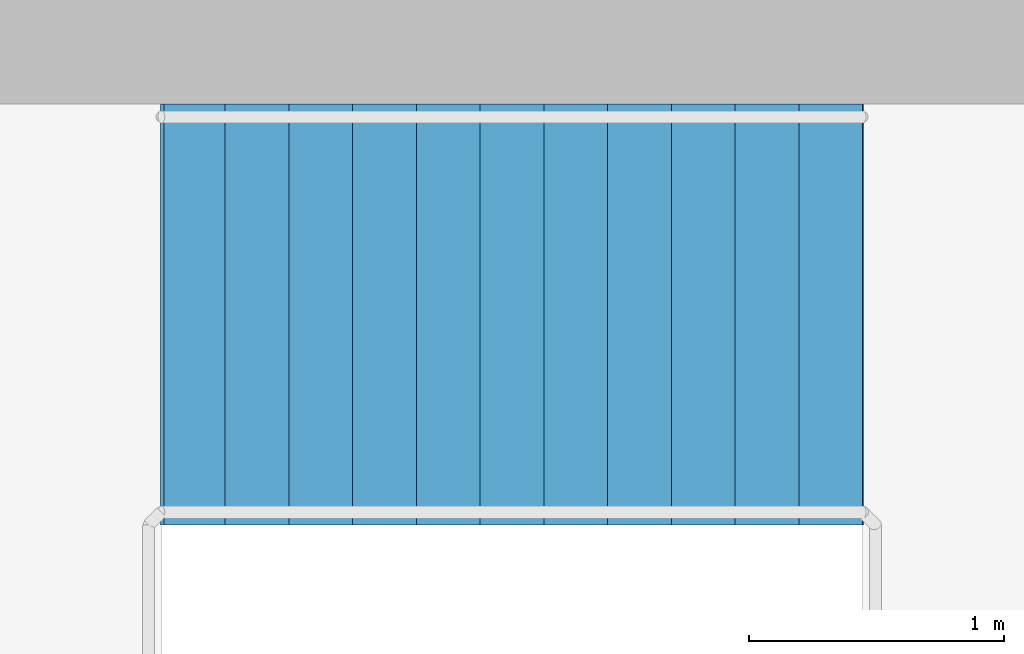
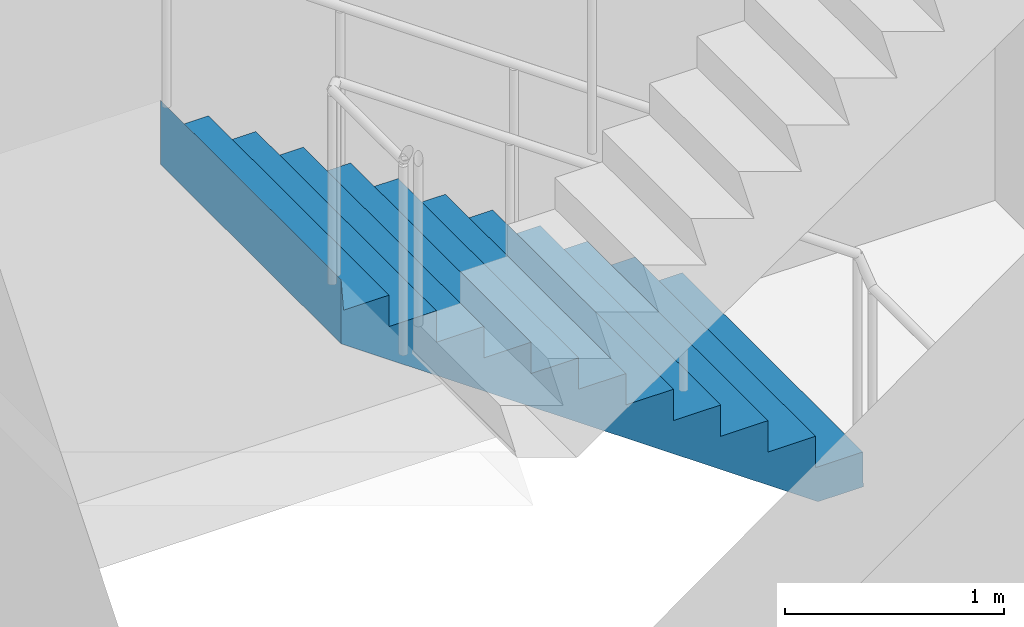
# One storey, part 17 of 18: 1 stair flight, 1 element without a shape of its own.
"""IFC4 building model written with IfcOpenShell, lengths in metres."""

from ifc_helpers import new_model, si_unit, direction, frame, origin, place, context, subcontext, project, spatial, triangles, material, type_object, element, aggregate, save


model = new_model("IFC4")

# Units and contexts
model_context = context("Model", 3, precision=1e-05, world=origin(), true_north=direction((0.0, 1.0)))
body_context = subcontext(model_context, "Body", "Model", "MODEL_VIEW")
ifc_project = project(units=[si_unit("LENGTHUNIT", "METRE"), si_unit("AREAUNIT", "SQUARE_METRE"), si_unit("VOLUMEUNIT", "CUBIC_METRE"), si_unit("PLANEANGLEUNIT", "RADIAN"), si_unit("MASSUNIT", "GRAM", prefix="KILO")], contexts=[model_context])

# Site, building, storey
site_placement = place(None, origin())
site = spatial("IfcSite", under=ifc_project, at=site_placement, CompositionType="ELEMENT")
building_placement = place(site_placement, origin())
building = spatial("IfcBuilding", under=site, at=building_placement, Name="Maasbend Ring Residences", CompositionType="ELEMENT")
storey_placement = place(building_placement, frame((0.0, 0.0, 103.25)))
storey = spatial("IfcBuildingStorey", under=building, at=storey_placement, Name="L29", CompositionType="ELEMENT", Elevation=103.25)

# Stair, stair flight
ifc_material_1 = material(Name="Concrete C40/50", Category="concrete")
stair_type = type_object("IfcStairType", Name="CORE STAIR 24 RISERS", PredefinedType="HALF_TURN_STAIR", material=ifc_material_1)
stair_placement = place(storey_placement, origin())
stair = element("IfcStair", 1, at=stair_placement, inside=storey, type_object=stair_type, Name="L29 Exit stair ST-E1", PredefinedType="HALF_TURN_STAIR")
ifc_material_2 = material(Name="Concrete C40/50", Category="concrete")
stair_flight_type = type_object("IfcStairFlightType", Name="CORE STAIR FLIGHT 1650", PredefinedType="STRAIGHT", material=ifc_material_2)
stair_flight_placement = place(storey_placement, frame((13.550048828125, 7.77490234375, 0.0), z_axis=(0.0, 0.0, 1.0), x_axis=(-1.0, 0.0, 0.0)))
stair_flight = element("IfcStairFlight", 2, at=stair_flight_placement, type_object=stair_flight_type, Name="ST-E1 flight 1", NumberOfRisers=12, NumberOfTreads=11, PredefinedType="STRAIGHT", RiserHeight=0.175, TreadLength=0.25, context=body_context, shape_type="Tessellation", body=[
    triangles([(0.23583984375, 0.824951171875, -0.02001953125), (2.7529296875, 0.824951171875, 1.741943359375), (2.7529296875, 0.824951171875, 2.10009765625), (2.739990234375, 0.824951171875, 1.925048828125), (2.5, 0.824951171875, 1.925048828125), (2.5, 0.824951171875, 1.75), (2.25, 0.824951171875, 1.75), (2.25, 0.824951171875, 1.574951171875), (2.0, 0.824951171875, 1.574951171875), (2.0, 0.824951171875, 1.39990234375), (1.75, 0.824951171875, 1.39990234375), (1.75, 0.824951171875, 1.22509765625), (1.5, 0.824951171875, 1.22509765625), (1.5, 0.824951171875, 1.050048828125), (1.25, 0.824951171875, 1.050048828125), (1.25, 0.824951171875, 0.875), (1.0, 0.824951171875, 0.875), (1.0, 0.824951171875, 0.699951171875), (0.75, 0.824951171875, 0.699951171875), (0.75, 0.824951171875, 0.52490234375), (0.5, 0.824951171875, 0.52490234375), (0.5, 0.824951171875, 0.35009765625), (0.25, 0.824951171875, 0.35009765625), (0.25, 0.824951171875, 0.175048828125), (0.0, 0.824951171875, 0.175048828125), (0.0, 0.824951171875, 0.0), (-0.0029296875, 0.824951171875, 0.0), (-0.0029296875, 0.824951171875, -0.02001953125), (0.23583984375, -0.824951171875, -0.02001953125), (2.7529296875, -0.824951171875, 1.741943359375), (2.7529296875, -0.824951171875, 2.10009765625), (2.739990234375, -0.824951171875, 1.925048828125), (2.5, -0.824951171875, 1.925048828125), (2.5, -0.824951171875, 1.75), (2.25, -0.824951171875, 1.75), (2.25, -0.824951171875, 1.574951171875), (2.0, -0.824951171875, 1.574951171875), (2.0, -0.824951171875, 1.39990234375), (1.75, -0.824951171875, 1.39990234375), (1.75, -0.824951171875, 1.22509765625), (1.5, -0.824951171875, 1.22509765625), (1.5, -0.824951171875, 1.050048828125), (1.25, -0.824951171875, 1.050048828125), (1.25, -0.824951171875, 0.875), (1.0, -0.824951171875, 0.875), (1.0, -0.824951171875, 0.699951171875), (0.75, -0.824951171875, 0.699951171875), (0.75, -0.824951171875, 0.52490234375), (0.5, -0.824951171875, 0.52490234375), (0.5, -0.824951171875, 0.35009765625), (0.25, -0.824951171875, 0.35009765625), (0.25, -0.824951171875, 0.175048828125), (0.0, -0.824951171875, 0.175048828125), (0.0, -0.824951171875, 0.0), (-0.0029296875, -0.824951171875, 0.0), (-0.0029296875, -0.824951171875, -0.02001953125)], [[1, 2, 30], [1, 30, 29], [2, 3, 31], [2, 31, 30], [3, 4, 32], [3, 32, 31], [4, 5, 33], [4, 33, 32], [5, 6, 34], [5, 34, 33], [6, 7, 35], [6, 35, 34], [7, 8, 36], [7, 36, 35], [8, 9, 37], [8, 37, 36], [9, 10, 38], [9, 38, 37], [10, 11, 39], [10, 39, 38], [11, 12, 40], [11, 40, 39], [12, 13, 41], [12, 41, 40], [13, 14, 42], [13, 42, 41], [14, 15, 43], [14, 43, 42], [15, 16, 44], [15, 44, 43], [16, 17, 45], [16, 45, 44], [17, 18, 46], [17, 46, 45], [18, 19, 47], [18, 47, 46], [19, 20, 48], [19, 48, 47], [20, 21, 49], [20, 49, 48], [21, 22, 50], [21, 50, 49], [22, 23, 51], [22, 51, 50], [23, 24, 52], [23, 52, 51], [24, 25, 53], [24, 53, 52], [25, 26, 54], [25, 54, 53], [26, 27, 55], [26, 55, 54], [27, 28, 56], [27, 56, 55], [28, 1, 29], [28, 29, 56], [28, 2, 1], [2, 4, 3], [2, 5, 4], [2, 6, 5], [28, 6, 2], [6, 8, 7], [28, 8, 6], [8, 10, 9], [28, 10, 8], [10, 12, 11], [28, 12, 10], [12, 14, 13], [28, 14, 12], [14, 16, 15], [28, 16, 14], [16, 18, 17], [28, 18, 16], [18, 20, 19], [28, 20, 18], [20, 22, 21], [28, 22, 20], [22, 24, 23], [28, 24, 22], [24, 26, 25], [28, 26, 24], [26, 28, 27], [56, 29, 30], [30, 31, 32], [30, 32, 33], [30, 33, 34], [56, 30, 34], [34, 35, 36], [56, 34, 36], [36, 37, 38], [56, 36, 38], [38, 39, 40], [56, 38, 40], [40, 41, 42], [56, 40, 42], [42, 43, 44], [56, 42, 44], [44, 45, 46], [56, 44, 46], [46, 47, 48], [56, 46, 48], [48, 49, 50], [56, 48, 50], [50, 51, 52], [56, 50, 52], [52, 53, 54], [56, 52, 54], [54, 55, 56]], closed=True),
])
aggregate(stair, [stair_flight])

save(model, "model.ifc")
